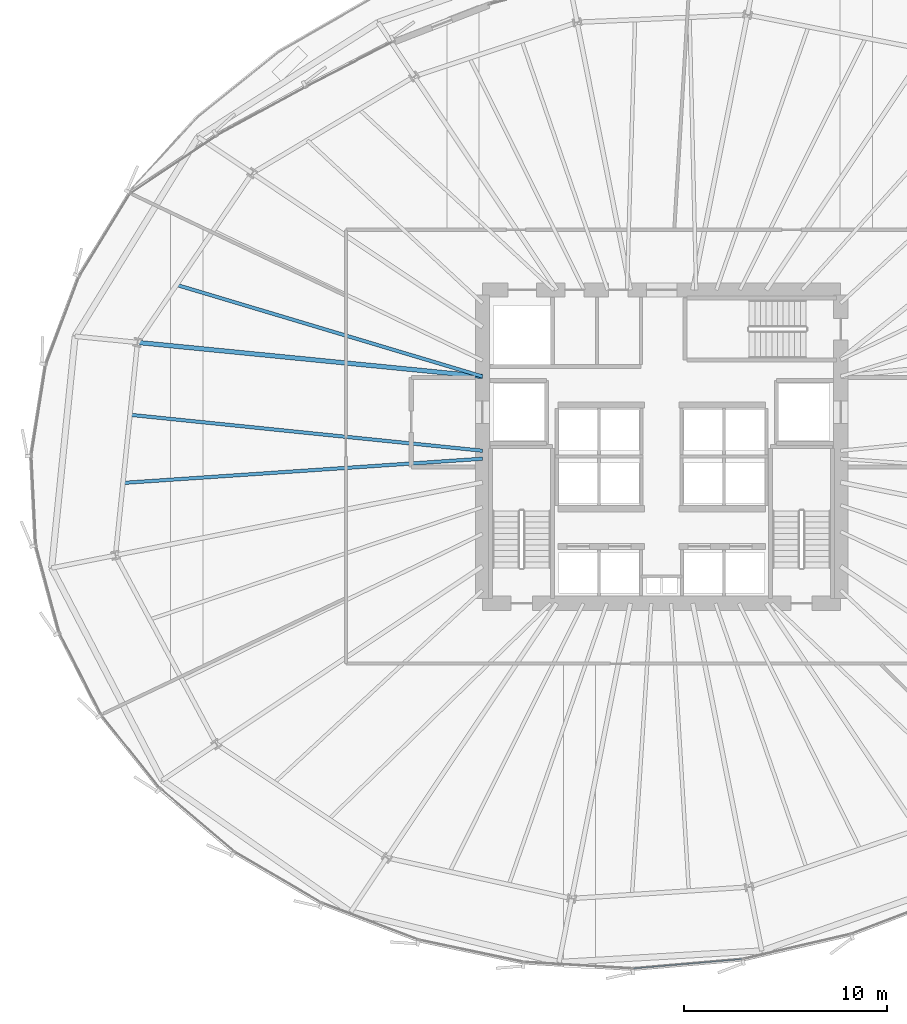
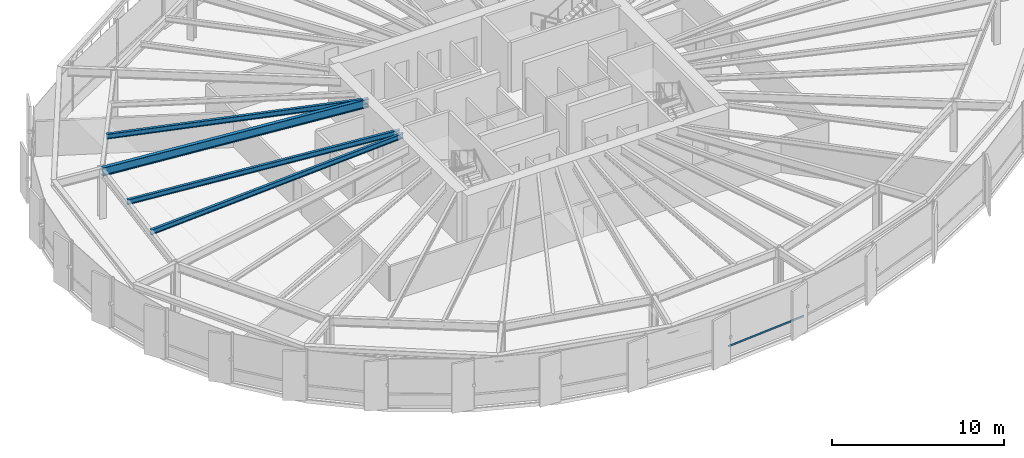
# One storey, part 9 of 38: 4 beams, 1 member, 1 element without a shape of its own.
"""IFC4 building model written with IfcOpenShell, lengths in metres."""

from ifc_helpers import new_model, si_unit, direction, frame, origin, origin_2d, place, context, subcontext, project, spatial, hollow_rectangle, i_section, extrude, source, transform, mapped, material, layer, layer_set, material_profile, profile_set, type_object, element, aggregate, save


model = new_model("IFC4")

# Units and contexts
model_context = context("Model", 3, precision=1e-05, world=origin(), true_north=direction((0.0, 1.0)))
body_context = subcontext(model_context, "Body", "Model", "MODEL_VIEW")
ifc_project = project(units=[si_unit("LENGTHUNIT", "METRE"), si_unit("AREAUNIT", "SQUARE_METRE"), si_unit("VOLUMEUNIT", "CUBIC_METRE"), si_unit("PLANEANGLEUNIT", "RADIAN"), si_unit("MASSUNIT", "GRAM", prefix="KILO"), si_unit("THERMODYNAMICTEMPERATUREUNIT", "KELVIN")], contexts=[model_context])

# Site, building, storey
site_placement = place(None, origin())
site = spatial("IfcSite", under=ifc_project, at=site_placement, CompositionType="ELEMENT")
building_placement = place(site_placement, origin())
building = spatial("IfcBuilding", under=site, at=building_placement, Name="Kethvar Cultural Tower", CompositionType="ELEMENT")
storey_placement = place(building_placement, frame((0.0, 0.0, 67.60009765625)))
storey = spatial("IfcBuildingStorey", under=building, at=storey_placement, Name="L16", CompositionType="ELEMENT", Elevation=67.60009765625)

# Beams
ifc_material_1 = material(Name="Steel S355J2", Category="steel")
ifc_material_profile_1 = material_profile(ifc_material_1, i_section(OverallWidth=0.219970703125, OverallDepth=0.60009765625, WebThickness=0.011962890625, FlangeThickness=0.01904296875, FilletRadius=0.02392578125, at=origin_2d()), Name="Steel S355J2 — IPE600")
ifc_profile_set_1 = profile_set([ifc_material_profile_1], Name="Steel S355J2 — IPE600")
beam_type_1 = type_object("IfcBeamType", Name="BM-IPE600", PredefinedType="BEAM", material=ifc_profile_set_1)
shared_shape_1 = source(origin(), body_context, "Body", "SweptSolid", [
    extrude(i_section(OverallWidth=0.219970703125, OverallDepth=0.60009765625, WebThickness=0.011962890625, FlangeThickness=0.01904296875, FilletRadius=0.02392578125, at=origin_2d()), origin(), (0.0, 0.0, 1.0), 17.03515625),
])
beam_1_placement = place(storey_placement, frame((38.0, 31.25, 3.247802734375), z_axis=(-0.995168138859, 0.098185413375, 0.0), x_axis=(-0.098185413375, -0.995168138859, 0.0)))
element("IfcBeam", 1, at=beam_1_placement, inside=storey, type_object=beam_type_1, Name="L16 Primary Radial Beam RB-08", PredefinedType="BEAM", context=body_context, shape_type="MappedRepresentation", body=[
    mapped(shared_shape_1, transform((0.0, 0.0, 0.0), scale=1.0)),
])
ifc_material_profile_2 = material_profile(ifc_material_1, i_section(OverallWidth=0.169921875, OverallDepth=0.360107421875, WebThickness=0.008056640625, FlangeThickness=0.0126953125, FilletRadius=0.01806640625, at=origin_2d()), Name="Steel S355J2 — IPE360")
ifc_profile_set_2 = profile_set([ifc_material_profile_2], Name="Steel S355J2 — IPE360")
beam_type_2 = type_object("IfcBeamType", Name="BM-J360", PredefinedType="JOIST", material=ifc_profile_set_2)
shared_shape_2 = source(origin(), body_context, "Body", "SweptSolid", [
    extrude(i_section(OverallWidth=0.169921875, OverallDepth=0.360107421875, WebThickness=0.008056640625, FlangeThickness=0.0126953125, FilletRadius=0.01806640625, at=origin_2d()), origin(), (0.0, 0.0, 1.0), 15.6953125),
])
beam_2_placement = place(storey_placement, frame((38.0, 31.25, 3.367919921875), z_axis=(-0.958003344758, 0.28675702508, 0.0), x_axis=(-0.28675702508, -0.958003344758, 0.0)))
element("IfcBeam", 2, at=beam_2_placement, inside=storey, type_object=beam_type_2, Name="L16 Composite Floor Joist J-07B", PredefinedType="JOIST", context=body_context, shape_type="MappedRepresentation", body=[
    mapped(shared_shape_2, transform((0.0, 0.0, 0.0), scale=1.0)),
])
shared_shape_3 = source(origin(), body_context, "Body", "SweptSolid", [
    extrude(i_section(OverallWidth=0.169921875, OverallDepth=0.360107421875, WebThickness=0.008056640625, FlangeThickness=0.0126953125, FilletRadius=0.01806640625, at=origin_2d()), origin(), (0.0, 0.0, 1.0), 17.410400390625),
])
beam_3_placement = place(storey_placement, frame((38.0, 27.60009765625, 3.367919921875), z_axis=(-0.99484162516, 0.101440331474, 0.0), x_axis=(-0.101440331474, -0.99484162516, 0.0)))
element("IfcBeam", 3, at=beam_3_placement, inside=storey, type_object=beam_type_2, Name="L16 Composite Floor Joist J-08A", PredefinedType="JOIST", context=body_context, shape_type="MappedRepresentation", body=[
    mapped(shared_shape_3, transform((0.0, 0.0, 0.0), scale=1.0)),
])
shared_shape_4 = source(origin(), body_context, "Body", "SweptSolid", [
    extrude(i_section(OverallWidth=0.169921875, OverallDepth=0.360107421875, WebThickness=0.008056640625, FlangeThickness=0.0126953125, FilletRadius=0.01806640625, at=origin_2d()), origin(), (0.0, 0.0, 1.0), 17.70654296875),
])
beam_4_placement = place(storey_placement, frame((38.0, 27.207763671875, 3.367919921875), z_axis=(-0.997742984455, -0.067148618533, 0.0), x_axis=(0.067148618533, -0.997742984455, 0.0)))
element("IfcBeam", 4, at=beam_4_placement, inside=storey, type_object=beam_type_2, Name="L16 Composite Floor Joist J-08B", PredefinedType="JOIST", context=body_context, shape_type="MappedRepresentation", body=[
    mapped(shared_shape_4, transform((0.0, 0.0, 0.0), scale=1.0)),
])

# Curtain wall, member
ifc_material_2 = material(Name="Aluminium 6063-T6", Category="aluminium")
ifc_layer = layer(ifc_material_2, 0.179931640625, Name="Aluminium 6063-T6", Category="aluminium")
ifc_layer_set = layer_set([ifc_layer], Name="Aluminium 6063-T6 (180 mm)")
curtain_wall_type = type_object("IfcCurtainWallType", Name="CW-SYS-02-Z1", PredefinedType="NOTDEFINED", material=ifc_layer_set)
curtain_wall_placement = place(storey_placement, origin())
curtain_wall = element("IfcCurtainWall", 5, at=curtain_wall_placement, inside=storey, type_object=curtain_wall_type, Name="L16 Curtain Wall Run 05", PredefinedType="NOTDEFINED")
ifc_material_profile_3 = material_profile(ifc_material_2, hollow_rectangle(XDim=0.054931640625, YDim=0.1201171875, WallThickness=0.00390625, at=origin_2d()), Name="Aluminium 6063-T6 — RHS120x55x4")
ifc_profile_set_3 = profile_set([ifc_material_profile_3], Name="Aluminium 6063-T6 — RHS120x55x4")
member_type = type_object("IfcMemberType", Name="CW-SYS-02-Z1-TRN", PredefinedType="USERDEFINED", material=ifc_profile_set_3)
shared_shape_5 = source(origin(), body_context, "Body", "SweptSolid", [
    extrude(hollow_rectangle(XDim=0.054931640625, YDim=0.1201171875, WallThickness=0.00390625, at=origin_2d()), origin(), (0.0, 0.0, 1.0), 5.345703125),
])
member_placement = place(storey_placement, frame((45.423583984375, 2.162353515625, 0.949951171875), z_axis=(0.996350312137, 0.085358394453, 0.0), x_axis=(-0.085358394453, 0.996350312137, 0.0)))
member = element("IfcMember", 6, at=member_placement, type_object=member_type, Name="CW-L16-R05 Transom 4", ObjectType="TRANSOM", PredefinedType="USERDEFINED", context=body_context, shape_type="MappedRepresentation", body=[
    mapped(shared_shape_5, transform((0.0, 0.0, 0.0), scale=1.0)),
])
aggregate(curtain_wall, [member])

save(model, "model.ifc")
